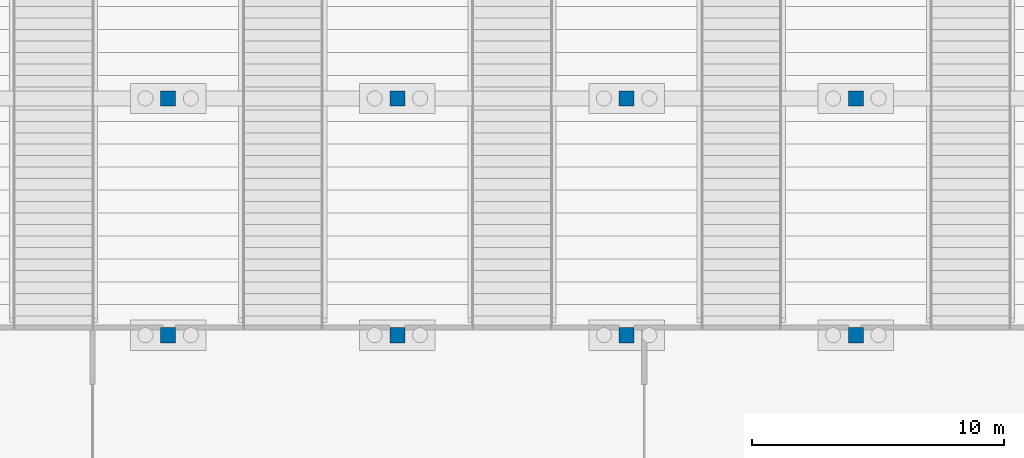
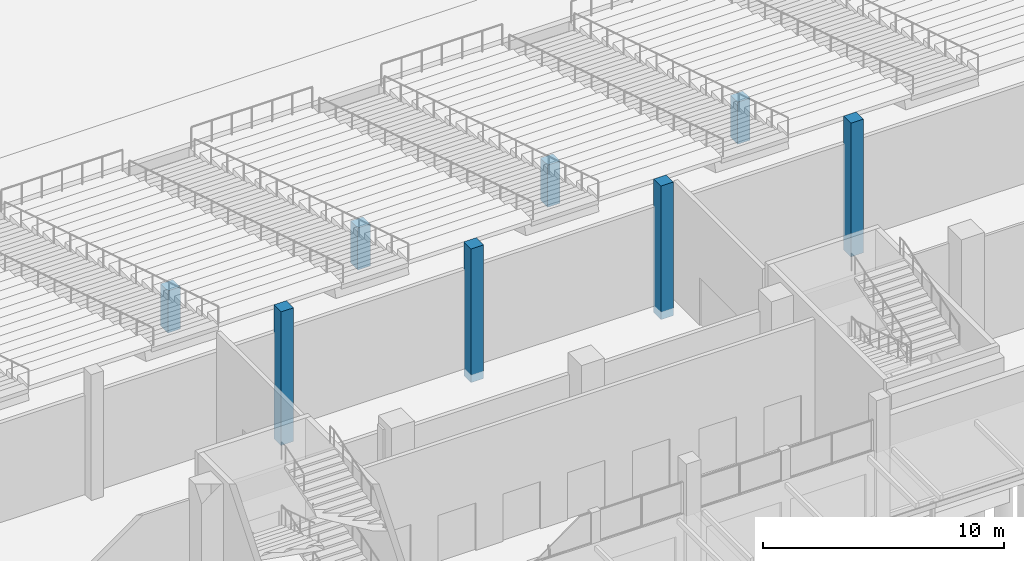
# One storey, part 19 of 129: 8 columns.
"""IFC4 building model written with IfcOpenShell, lengths in metres."""

from ifc_helpers import new_model, si_unit, direction, frame, origin, origin_2d, place, context, subcontext, project, spatial, rectangle, extrude, material, material_profile, profile_set, type_object, element, save


model = new_model("IFC4")

# Units and contexts
model_context = context("Model", 3, precision=1e-05, world=origin(), true_north=direction((0.0, 1.0)))
body_context = subcontext(model_context, "Body", "Model", "MODEL_VIEW")
ifc_project = project(units=[si_unit("LENGTHUNIT", "METRE"), si_unit("AREAUNIT", "SQUARE_METRE"), si_unit("VOLUMEUNIT", "CUBIC_METRE"), si_unit("PLANEANGLEUNIT", "RADIAN"), si_unit("MASSUNIT", "GRAM", prefix="KILO")], contexts=[model_context])

# Site, building, storey
site_placement = place(None, origin())
site = spatial("IfcSite", under=ifc_project, at=site_placement, CompositionType="ELEMENT")
building_placement = place(site_placement, origin())
building = spatial("IfcBuilding", under=site, at=building_placement, Name="Shirokan Park Arena", CompositionType="ELEMENT")
storey_placement = place(building_placement, origin())
storey = spatial("IfcBuildingStorey", under=building, at=storey_placement, Name="L00", CompositionType="ELEMENT", Elevation=0.0)

# Columns
ifc_material = material(Name="Concrete C35", Category="concrete")
ifc_material_profile = material_profile(ifc_material, rectangle(XDim=0.60009765625, YDim=0.60009765625, at=origin_2d()), Name="600x600")
ifc_profile_set = profile_set([ifc_material_profile], Name="Concrete C35")
column_type = type_object("IfcColumnType", Name="RC column 600x600", PredefinedType="COLUMN", material=ifc_profile_set)
column_1_placement = place(storey_placement, frame((63.699951171875, 17.89990234375, -0.39990234375), z_axis=(0.0, 0.0, 1.0), x_axis=(1.0, 0.0, 0.0)))
element("IfcColumn", 1, at=column_1_placement, inside=storey, type_object=column_type, Name="Column 8C L00", PredefinedType="COLUMN", context=body_context, shape_type="SweptSolid", body=[
    extrude(rectangle(XDim=0.60009765625, YDim=0.60009765625, at=origin_2d()), origin(), (0.0, 0.0, 1.0), 6.77001953125),
])
column_2_placement = place(storey_placement, frame((63.699951171875, 27.300048828125, -0.39990234375), z_axis=(0.0, 0.0, 1.0), x_axis=(1.0, 0.0, 0.0)))
element("IfcColumn", 2, at=column_2_placement, inside=storey, type_object=column_type, Name="Column 8D L00", PredefinedType="COLUMN", context=body_context, shape_type="SweptSolid", body=[
    extrude(rectangle(XDim=0.60009765625, YDim=0.60009765625, at=origin_2d()), origin(), (0.0, 0.0, 1.0), 2.1328125),
])
column_3_placement = place(storey_placement, frame((72.800048828125, 17.89990234375, -0.39990234375), z_axis=(0.0, 0.0, 1.0), x_axis=(1.0, 0.0, 0.0)))
element("IfcColumn", 3, at=column_3_placement, inside=storey, type_object=column_type, Name="Column 9C L00", PredefinedType="COLUMN", context=body_context, shape_type="SweptSolid", body=[
    extrude(rectangle(XDim=0.60009765625, YDim=0.60009765625, at=origin_2d()), origin(), (0.0, 0.0, 1.0), 6.77001953125),
])
column_4_placement = place(storey_placement, frame((72.800048828125, 27.300048828125, -0.39990234375), z_axis=(0.0, 0.0, 1.0), x_axis=(1.0, 0.0, 0.0)))
element("IfcColumn", 4, at=column_4_placement, inside=storey, type_object=column_type, Name="Column 9D L00", PredefinedType="COLUMN", context=body_context, shape_type="SweptSolid", body=[
    extrude(rectangle(XDim=0.60009765625, YDim=0.60009765625, at=origin_2d()), origin(), (0.0, 0.0, 1.0), 2.1328125),
])
column_5_placement = place(storey_placement, frame((81.89990234375, 17.89990234375, -0.39990234375), z_axis=(0.0, 0.0, 1.0), x_axis=(1.0, 0.0, 0.0)))
element("IfcColumn", 5, at=column_5_placement, inside=storey, type_object=column_type, Name="Column 10C L00", PredefinedType="COLUMN", context=body_context, shape_type="SweptSolid", body=[
    extrude(rectangle(XDim=0.60009765625, YDim=0.60009765625, at=origin_2d()), origin(), (0.0, 0.0, 1.0), 6.77001953125),
])
column_6_placement = place(storey_placement, frame((81.89990234375, 27.300048828125, -0.39990234375), z_axis=(0.0, 0.0, 1.0), x_axis=(1.0, 0.0, 0.0)))
element("IfcColumn", 6, at=column_6_placement, inside=storey, type_object=column_type, Name="Column 10D L00", PredefinedType="COLUMN", context=body_context, shape_type="SweptSolid", body=[
    extrude(rectangle(XDim=0.60009765625, YDim=0.60009765625, at=origin_2d()), origin(), (0.0, 0.0, 1.0), 2.1328125),
])
column_7_placement = place(storey_placement, frame((91.0, 17.89990234375, -0.39990234375), z_axis=(0.0, 0.0, 1.0), x_axis=(1.0, 0.0, 0.0)))
element("IfcColumn", 7, at=column_7_placement, inside=storey, type_object=column_type, Name="Column 11C L00", PredefinedType="COLUMN", context=body_context, shape_type="SweptSolid", body=[
    extrude(rectangle(XDim=0.60009765625, YDim=0.60009765625, at=origin_2d()), origin(), (0.0, 0.0, 1.0), 6.77001953125),
])
column_8_placement = place(storey_placement, frame((91.0, 27.300048828125, -0.39990234375), z_axis=(0.0, 0.0, 1.0), x_axis=(1.0, 0.0, 0.0)))
element("IfcColumn", 8, at=column_8_placement, inside=storey, type_object=column_type, Name="Column 11D L00", PredefinedType="COLUMN", context=body_context, shape_type="SweptSolid", body=[
    extrude(rectangle(XDim=0.60009765625, YDim=0.60009765625, at=origin_2d()), origin(), (0.0, 0.0, 1.0), 2.1328125),
])

save(model, "model.ifc")
